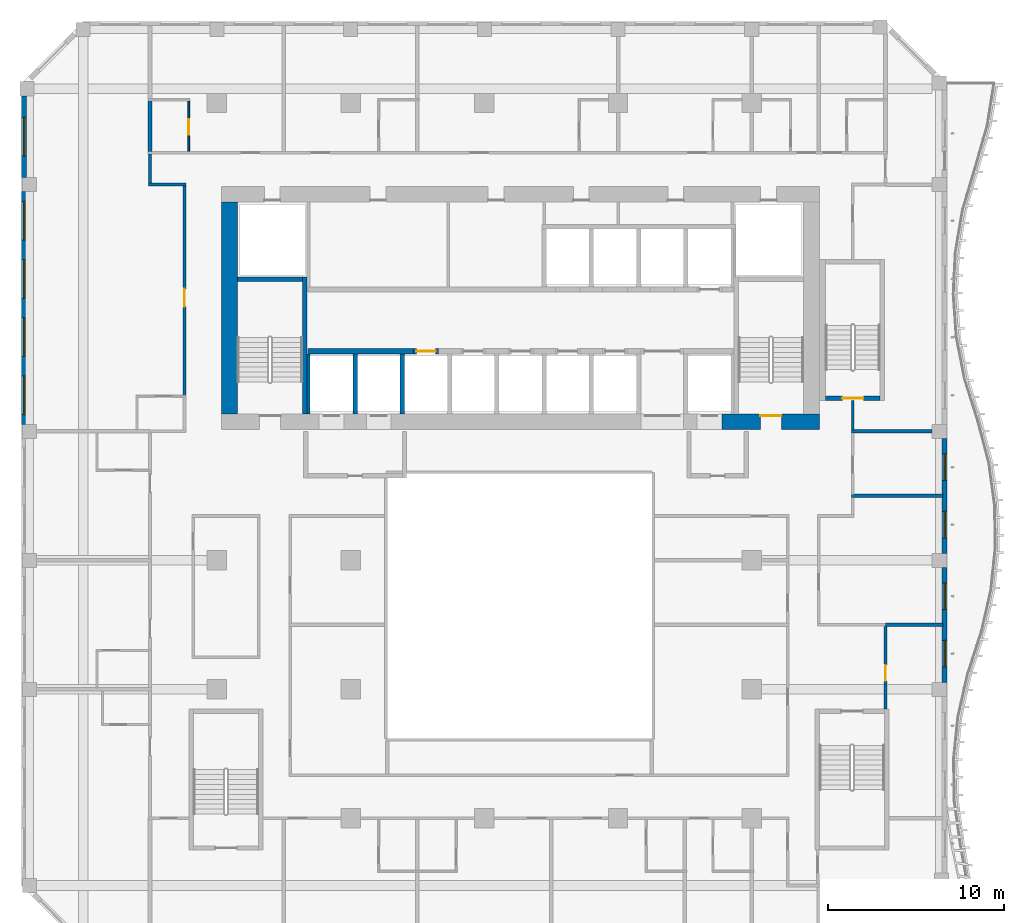
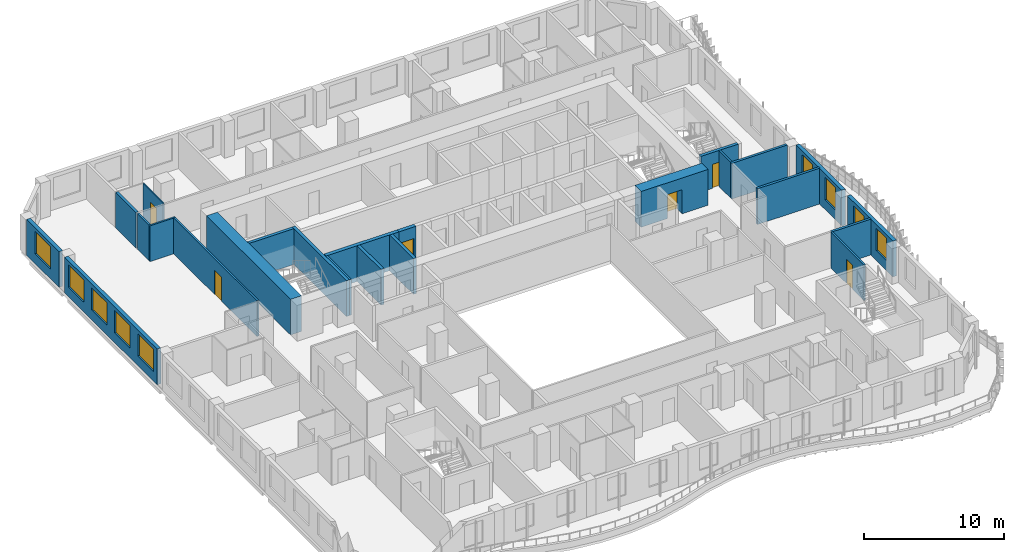
# One storey, part 6 of 20: 24 walls, 9 windows, 6 doors, 15 openings.
"""IFC4 building model written with IfcOpenShell, lengths in metres."""

from ifc_helpers import new_model, si_unit, direction, frame, frame_2d, origin, place, context, subcontext, project, spatial, rectangle, extrude, source, transform, mapped, material, layer, layer_set, type_object, element, fill, save


model = new_model("IFC4")

# Units and contexts
model_context = context("Model", 3, precision=1e-05, world=origin(), true_north=direction((0.0, 1.0)))
body_context = subcontext(model_context, "Body", "Model", "MODEL_VIEW")
ifc_project = project(units=[si_unit("LENGTHUNIT", "METRE"), si_unit("AREAUNIT", "SQUARE_METRE"), si_unit("VOLUMEUNIT", "CUBIC_METRE"), si_unit("PLANEANGLEUNIT", "RADIAN"), si_unit("MASSUNIT", "GRAM", prefix="KILO")], contexts=[model_context])

# Site, building, storey
site_placement = place(None, origin())
site = spatial("IfcSite", under=ifc_project, at=site_placement, CompositionType="ELEMENT")
building_placement = place(site_placement, origin())
building = spatial("IfcBuilding", under=site, at=building_placement, Name="Kilnfold Tower and Market Hall", CompositionType="ELEMENT")
storey_placement = place(building_placement, frame((0.0, 0.0, 157.5)))
storey = spatial("IfcBuildingStorey", under=building, at=storey_placement, Name="L36", CompositionType="ELEMENT", Elevation=157.5)

# Wall, opening, door
ifc_material_1 = material(Name="Gypsum board on steel studs", Category="steel")
ifc_layer_1 = layer(ifc_material_1, 0.14990234375)
ifc_layer_set_1 = layer_set([ifc_layer_1], Name="Gypsum board on steel studs")
wall_type_1 = type_object("IfcWallType", Name="WALL CORRIDOR 150", PredefinedType="PARTITIONING", material=ifc_layer_set_1)
wall_1_placement = place(storey_placement, frame((-18.0, 10.0400390625, 0.0), z_axis=(0.0, 0.0, 1.0), x_axis=(0.0, 1.0, 0.0)))
wall_1 = element("IfcWall", 1, at=wall_1_placement, inside=storey, type_object=wall_type_1, Name="Partition LY23.16", PredefinedType="PARTITIONING", context=body_context, shape_type="SweptSolid", body=[
    extrude(rectangle(XDim=11.885009765625, YDim=0.14990234375, at=frame_2d((5.9423828125, 0.0))), origin(), (0.0, 0.0, 1.0), 3.1201171875),
])
opening_1_placement = place(wall_1_placement, frame((5.0390625, 0.0, 0.0)))
opening_1 = element("IfcOpeningElement", 2, at=opening_1_placement, cuts=wall_1, Name="Opening D1", PredefinedType="OPENING", context=body_context, shape_type="SweptSolid", body=[
    extrude(rectangle(XDim=1.0, YDim=2.10009765625, at=frame_2d((0.5, 1.050048828125))), frame((0.0, 0.0849609375, 0.0), z_axis=(0.0, -1.0, 0.0), x_axis=(1.0, 0.0, 0.0)), (0.0, 0.0, 1.0), 0.169921875),
])
ifc_material_2 = material(Name="Timber veneer door leaf in steel frame", Category="steel")
door_type_1 = type_object("IfcDoorType", Name="DOOR ENTRY 1000 X2100", OperationType="NOTDEFINED", PredefinedType="DOOR", material=ifc_material_2)
door_1_placement = place(opening_1_placement, origin())
door_1 = element("IfcDoor", 3, at=door_1_placement, inside=storey, type_object=door_type_1, Name="Door D1", OperationType="SINGLE_SWING_LEFT", OverallHeight=2.10009765625, OverallWidth=1.0, PredefinedType="DOOR", context=body_context, shape_type="SweptSolid", body=[
    extrude(rectangle(XDim=1.0, YDim=2.10009765625, at=frame_2d((0.5, 1.050048828125))), frame((0.0, 0.02490234375, 0.0), z_axis=(0.0, -1.0, 0.0), x_axis=(1.0, 0.0, 0.0)), (0.0, 0.0, 1.0), 0.050048828125),
])
fill(opening_1, door_1)

# Walls
wall_2_placement = place(storey_placement, frame((-20.033935546875, 22.0, 0.0), z_axis=(0.0, 0.0, 1.0), x_axis=(1.0, 0.0, 0.0)))
element("IfcWall", 4, at=wall_2_placement, inside=storey, type_object=wall_type_1, Name="Partition LY23.17", PredefinedType="PARTITIONING", context=body_context, shape_type="SweptSolid", body=[
    extrude(rectangle(XDim=2.10888671875, YDim=0.14990234375, at=frame_2d((1.054443359375, 0.0))), origin(), (0.0, 0.0, 1.0), 3.1201171875),
])
wall_3_placement = place(storey_placement, frame((-19.958984375, 22.074951171875, 0.0), z_axis=(0.0, 0.0, 1.0), x_axis=(0.0, 1.0, 0.0)))
element("IfcWall", 5, at=wall_3_placement, inside=storey, type_object=wall_type_1, Name="Partition LY23.18", PredefinedType="PARTITIONING", context=body_context, shape_type="SweptSolid", body=[
    extrude(rectangle(XDim=1.650146484375, YDim=0.14990234375, at=frame_2d((0.8251953125, 0.0))), origin(), (0.0, 0.0, 1.0), 3.1201171875),
])
wall_4_placement = place(storey_placement, frame((19.89990234375, 8.090087890625, 0.0), z_axis=(0.0, 0.0, 1.0), x_axis=(0.0, 1.0, 0.0)))
element("IfcWall", 6, at=wall_4_placement, inside=storey, type_object=wall_type_1, Name="Partition LY23.26", PredefinedType="PARTITIONING", context=body_context, shape_type="SweptSolid", body=[
    extrude(rectangle(XDim=1.659912109375, YDim=0.14990234375, at=frame_2d((0.830078125, 0.0))), origin(), (0.0, 0.0, 1.0), 3.1201171875),
])

# Wall, opening, door
wall_5_placement = place(storey_placement, frame((21.75, -7.75, 0.0), z_axis=(0.0, 0.0, 1.0), x_axis=(0.0, 1.0, 0.0)))
wall_5 = element("IfcWall", 7, at=wall_5_placement, inside=storey, type_object=wall_type_1, Name="Partition LY23.31", PredefinedType="PARTITIONING", context=body_context, shape_type="SweptSolid", body=[
    extrude(rectangle(XDim=4.681884765625, YDim=0.14990234375, at=frame_2d((2.3408203125, 0.0))), origin(), (0.0, 0.0, 1.0), 3.1201171875),
])
opening_2_placement = place(wall_5_placement, frame((1.60205078125, 0.0, 0.0)))
opening_2 = element("IfcOpeningElement", 8, at=opening_2_placement, cuts=wall_5, Name="Opening D2", PredefinedType="OPENING", context=body_context, shape_type="SweptSolid", body=[
    extrude(rectangle(XDim=0.89990234375, YDim=2.10009765625, at=frame_2d((0.449951171875, 1.050048828125))), frame((0.0, 0.0849609375, 0.0), z_axis=(0.0, -1.0, 0.0), x_axis=(1.0, 0.0, 0.0)), (0.0, 0.0, 1.0), 0.169921875),
])
ifc_material_3 = material(Name="Timber veneer door leaf in steel frame", Category="steel")
door_type_2 = type_object("IfcDoorType", Name="DOOR ROOM 900 X2100", OperationType="NOTDEFINED", PredefinedType="DOOR", material=ifc_material_3)
door_2_placement = place(opening_2_placement, origin())
door_2 = element("IfcDoor", 9, at=door_2_placement, inside=storey, type_object=door_type_2, Name="Door D2", OperationType="SINGLE_SWING_LEFT", OverallHeight=2.10009765625, OverallWidth=0.89990234375, PredefinedType="DOOR", context=body_context, shape_type="SweptSolid", body=[
    extrude(rectangle(XDim=0.89990234375, YDim=2.10009765625, at=frame_2d((0.449951171875, 1.050048828125))), frame((0.0, 0.02490234375, 0.0), z_axis=(0.0, -1.0, 0.0), x_axis=(1.0, 0.0, 0.0)), (0.0, 0.0, 1.0), 0.050048828125),
])
fill(opening_2, door_2)

ifc_material_4 = material(Name="Gypsum board on steel studs", Category="steel")
ifc_layer_2 = layer(ifc_material_4, 0.10009765625)
ifc_layer_set_2 = layer_set([ifc_layer_2], Name="Gypsum board on steel studs")
wall_type_2 = type_object("IfcWallType", Name="WALL PARTITION 100", PredefinedType="PARTITIONING", material=ifc_layer_set_2)
wall_6_placement = place(storey_placement, frame((-17.759033203125, 26.751953125, 0.0), z_axis=(0.0, 0.0, 1.0), x_axis=(0.0, -1.0, 0.0)))
wall_6 = element("IfcWall", 10, at=wall_6_placement, inside=storey, type_object=wall_type_2, Name="Partition LY23.75", PredefinedType="PARTITIONING", context=body_context, shape_type="SweptSolid", body=[
    extrude(rectangle(XDim=2.875, YDim=0.10009765625, at=frame_2d((1.4375, 0.0))), origin(), (0.0, 0.0, 1.0), 3.1201171875),
])
opening_3_placement = place(wall_6_placement, frame((1.0400390625, 0.0, 0.0)))
opening_3 = element("IfcOpeningElement", 11, at=opening_3_placement, cuts=wall_6, Name="Opening D3", PredefinedType="OPENING", context=body_context, shape_type="SweptSolid", body=[
    extrude(rectangle(XDim=0.89990234375, YDim=2.10009765625, at=frame_2d((0.449951171875, 1.050048828125))), frame((0.0, 0.06005859375, 0.0), z_axis=(0.0, -1.0, 0.0), x_axis=(1.0, 0.0, 0.0)), (0.0, 0.0, 1.0), 0.1201171875),
])
ifc_material_5 = material(Name="Timber veneer door leaf in steel frame", Category="steel")
door_type_3 = type_object("IfcDoorType", Name="DOOR WC 900 X2100", OperationType="NOTDEFINED", PredefinedType="DOOR", material=ifc_material_5)
door_3_placement = place(opening_3_placement, origin())
door_3 = element("IfcDoor", 12, at=door_3_placement, inside=storey, type_object=door_type_3, Name="Door D3", OperationType="SINGLE_SWING_LEFT", OverallHeight=2.10009765625, OverallWidth=0.89990234375, PredefinedType="DOOR", context=body_context, shape_type="SweptSolid", body=[
    extrude(rectangle(XDim=0.89990234375, YDim=2.10009765625, at=frame_2d((0.449951171875, 1.050048828125))), frame((0.0, 0.02490234375, 0.0), z_axis=(0.0, -1.0, 0.0), x_axis=(1.0, 0.0, 0.0)), (0.0, 0.0, 1.0), 0.050048828125),
])
fill(opening_3, door_3)

# Walls
ifc_material_6 = material(Name="Gypsum board on steel studs", Category="steel")
ifc_layer_3 = layer(ifc_material_6, 0.199951171875)
ifc_layer_set_3 = layer_set([ifc_layer_3], Name="Gypsum board on steel studs")
wall_type_3 = type_object("IfcWallType", Name="WALL PARTY 200", PredefinedType="PARTITIONING", material=ifc_layer_set_3)
wall_7_placement = place(storey_placement, frame((-19.958984375, 23.876953125, 0.0), z_axis=(0.0, 0.0, 1.0), x_axis=(0.0, 1.0, 0.0)))
element("IfcWall", 13, at=wall_7_placement, inside=storey, type_object=wall_type_3, Name="Partition LY23.74", PredefinedType="PARTITIONING", context=body_context, shape_type="SweptSolid", body=[
    extrude(rectangle(XDim=2.885009765625, YDim=0.199951171875, at=frame_2d((1.4423828125, 0.0))), origin(), (0.0, 0.0, 1.0), 3.1201171875),
])
wall_8_placement = place(storey_placement, frame((19.826904296875, 8.0, 0.0), z_axis=(0.0, 0.0, 1.0), x_axis=(1.0, 0.0, 0.0)))
element("IfcWall", 14, at=wall_8_placement, inside=storey, type_object=wall_type_3, Name="Partition LY23.98", PredefinedType="PARTITIONING", context=body_context, shape_type="SweptSolid", body=[
    extrude(rectangle(XDim=4.572998046875, YDim=0.199951171875, at=frame_2d((2.28662109375, 0.0))), origin(), (0.0, 0.0, 1.0), 3.1201171875),
])
wall_9_placement = place(storey_placement, frame((19.826904296875, 4.343994140625, 0.0), z_axis=(0.0, 0.0, 1.0), x_axis=(1.0, 0.0, 0.0)))
element("IfcWall", 15, at=wall_9_placement, inside=storey, type_object=wall_type_3, Name="Partition LY23.99", PredefinedType="PARTITIONING", context=body_context, shape_type="SweptSolid", body=[
    extrude(rectangle(XDim=5.173095703125, YDim=0.199951171875, at=frame_2d((2.58642578125, 0.0))), origin(), (0.0, 0.0, 1.0), 3.1201171875),
])
wall_10_placement = place(storey_placement, frame((21.7509765625, -2.968017578125, 0.0), z_axis=(0.0, 0.0, 1.0), x_axis=(0.999999954829, -0.000300571071, 0.0)))
element("IfcWall", 16, at=wall_10_placement, inside=storey, type_object=wall_type_3, Name="Partition LY23.100", PredefinedType="PARTITIONING", context=body_context, shape_type="SweptSolid", body=[
    extrude(rectangle(XDim=3.2490234375, YDim=0.199951171875, at=frame_2d((1.62451171875, 0.0))), origin(), (0.0, 0.0, 1.0), 3.1201171875),
])

# Wall, opening, door
ifc_material_7 = material(Name="Concrete C70", Category="concrete")
ifc_layer_4 = layer(ifc_material_7, 0.89990234375)
ifc_layer_set_4 = layer_set([ifc_layer_4], Name="Concrete C70")
wall_type_4 = type_object("IfcWallType", Name="CORE WALL 900 C70", PredefinedType="SHEAR", material=ifc_layer_set_4)
shared_shape_1 = source(origin(), body_context, "Body", "SweptSolid", [
    extrude(rectangle(XDim=5.530029296875, YDim=0.89990234375, at=frame_2d((2.76513671875, 0.0))), origin(), (0.0, 0.0, 1.0), 3.1201171875),
])
wall_11_placement = place(storey_placement, frame((12.469970703125, 8.550048828125, 0.0), z_axis=(0.0, 0.0, 1.0), x_axis=(1.0, 0.0, 0.0)))
wall_11 = element("IfcWall", 17, at=wall_11_placement, inside=storey, type_object=wall_type_4, Name="Core outer wall south", PredefinedType="SHEAR", context=body_context, shape_type="MappedRepresentation", body=[
    mapped(shared_shape_1, transform((0.0, 0.0, 0.0))),
])
opening_4_placement = place(wall_11_placement, frame((2.179931640625, 0.0, 0.0)))
opening_4 = element("IfcOpeningElement", 18, at=opening_4_placement, cuts=wall_11, Name="Opening SD1", PredefinedType="OPENING", context=body_context, shape_type="SweptSolid", body=[
    extrude(rectangle(XDim=1.199951171875, YDim=2.10009765625, at=frame_2d((0.60009765625, 1.050048828125))), frame((0.0, 0.4599609375, 0.0), z_axis=(0.0, -1.0, 0.0), x_axis=(1.0, 0.0, 0.0)), (0.0, 0.0, 1.0), 0.919921875),
])
ifc_material_8 = material(Name="Steel door set with fire-resisting leaf", Category="steel")
door_type_4 = type_object("IfcDoorType", Name="STAIR FLOOR DOOR 1200X2100", OperationType="NOTDEFINED", PredefinedType="DOOR", material=ifc_material_8)
door_4_placement = place(opening_4_placement, origin())
door_4 = element("IfcDoor", 19, at=door_4_placement, inside=storey, type_object=door_type_4, Name="Exit stair ST2 door", OperationType="DOUBLE_DOOR_SINGLE_SWING", OverallHeight=2.10009765625, OverallWidth=1.199951171875, PredefinedType="DOOR", context=body_context, shape_type="SweptSolid", body=[
    extrude(rectangle(XDim=1.199951171875, YDim=2.10009765625, at=frame_2d((0.60009765625, 1.050048828125))), frame((0.0, 0.35498046875, 0.0), z_axis=(0.0, -1.0, 0.0), x_axis=(1.0, 0.0, 0.0)), (0.0, 0.0, 1.0), 0.050048828125),
])
fill(opening_4, door_4)

# Walls
shared_shape_2 = source(origin(), body_context, "Body", "SweptSolid", [
    extrude(rectangle(XDim=12.0, YDim=0.89990234375, at=frame_2d((6.0, 0.0))), origin(), (0.0, 0.0, 1.0), 3.1201171875),
])
wall_12_placement = place(storey_placement, frame((-15.449951171875, 9.0, 0.0), z_axis=(0.0, 0.0, 1.0), x_axis=(0.0, 1.0, 0.0)))
element("IfcWall", 20, at=wall_12_placement, inside=storey, type_object=wall_type_4, Name="Core outer wall west", PredefinedType="SHEAR", context=body_context, shape_type="MappedRepresentation", body=[
    mapped(shared_shape_2, transform((0.0, 0.0, 0.0))),
])
ifc_material_9 = material(Name="Concrete C70", Category="concrete")
ifc_layer_5 = layer(ifc_material_9, 0.25)
ifc_layer_set_5 = layer_set([ifc_layer_5], Name="Concrete C70")
wall_type_5 = type_object("IfcWallType", Name="CORE WALL 250 C70", PredefinedType="SHEAR", material=ifc_layer_set_5)
shared_shape_3 = source(origin(), body_context, "Body", "SweptSolid", [
    extrude(rectangle(XDim=7.75, YDim=0.25, at=frame_2d((3.875, 0.0))), origin(), (0.0, 0.0, 1.0), 3.1201171875),
])
wall_13_placement = place(storey_placement, frame((-11.175048828125, 9.0, 0.0), z_axis=(0.0, 0.0, 1.0), x_axis=(0.0, 1.0, 0.0)))
element("IfcWall", 21, at=wall_13_placement, inside=storey, type_object=wall_type_5, Name="Stair enclosure ST1", PredefinedType="SHEAR", context=body_context, shape_type="MappedRepresentation", body=[
    mapped(shared_shape_3, transform((0.0, 0.0, 0.0))),
])
shared_shape_4 = source(origin(), body_context, "Body", "SweptSolid", [
    extrude(rectangle(XDim=3.699951171875, YDim=0.25, at=frame_2d((1.85009765625, 0.0))), origin(), (0.0, 0.0, 1.0), 3.1201171875),
])
wall_14_placement = place(storey_placement, frame((-15.0, 16.625, 0.0), z_axis=(0.0, 0.0, 1.0), x_axis=(1.0, 0.0, 0.0)))
element("IfcWall", 22, at=wall_14_placement, inside=storey, type_object=wall_type_5, Name="Stair enclosure ST1", PredefinedType="SHEAR", context=body_context, shape_type="MappedRepresentation", body=[
    mapped(shared_shape_4, transform((0.0, 0.0, 0.0))),
])

# Wall, opening, door
shared_shape_5 = source(origin(), body_context, "Body", "SweptSolid", [
    extrude(rectangle(XDim=3.099853515625, YDim=0.25, at=frame_2d((1.5498046875, 0.0))), origin(), (0.0, 0.0, 1.0), 3.1201171875),
])
wall_15_placement = place(storey_placement, frame((18.35009765625, 9.875, 0.0), z_axis=(0.0, 0.0, 1.0), x_axis=(1.0, 0.0, 0.0)))
wall_15 = element("IfcWall", 23, at=wall_15_placement, inside=storey, type_object=wall_type_5, Name="Stair enclosure ST5", PredefinedType="SHEAR", context=body_context, shape_type="MappedRepresentation", body=[
    mapped(shared_shape_5, transform((0.0, 0.0, 0.0))),
])
opening_5_placement = place(wall_15_placement, frame((0.949951171875, 0.0, 0.0)))
opening_5 = element("IfcOpeningElement", 24, at=opening_5_placement, cuts=wall_15, Name="Opening SD1", PredefinedType="OPENING", context=body_context, shape_type="SweptSolid", body=[
    extrude(rectangle(XDim=1.199951171875, YDim=2.10009765625, at=frame_2d((0.60009765625, 1.050048828125))), frame((0.0, 0.135009765625, 0.0), z_axis=(0.0, -1.0, 0.0), x_axis=(1.0, 0.0, 0.0)), (0.0, 0.0, 1.0), 0.27001953125),
])
door_5_placement = place(opening_5_placement, origin())
door_5 = element("IfcDoor", 25, at=door_5_placement, inside=storey, type_object=door_type_4, Name="Exit stair ST5 door", OperationType="DOUBLE_DOOR_SINGLE_SWING", OverallHeight=2.10009765625, OverallWidth=1.199951171875, PredefinedType="DOOR", context=body_context, shape_type="SweptSolid", body=[
    extrude(rectangle(XDim=1.199951171875, YDim=2.10009765625, at=frame_2d((0.60009765625, 1.050048828125))), frame((0.0, 0.02490234375, 0.0), z_axis=(0.0, -1.0, 0.0), x_axis=(1.0, 0.0, 0.0)), (0.0, 0.0, 1.0), 0.050048828125),
])
fill(opening_5, door_5)

# Wall
ifc_material_10 = material(Name="Concrete C70", Category="concrete")
ifc_layer_6 = layer(ifc_material_10, 0.300048828125)
ifc_layer_set_6 = layer_set([ifc_layer_6], Name="Concrete C70")
wall_type_6 = type_object("IfcWallType", Name="CORE WALL 300 C70", PredefinedType="SHEAR", material=ifc_layer_set_6)
shared_shape_6 = source(origin(), body_context, "Body", "SweptSolid", [
    extrude(rectangle(XDim=6.0, YDim=0.300048828125, at=frame_2d((3.0, 0.0))), origin(), (0.0, 0.0, 1.0), 3.1201171875),
])
wall_16_placement = place(storey_placement, frame((-11.010009765625, 12.550048828125, 0.0), z_axis=(0.0, 0.0, 1.0), x_axis=(1.0, 0.0, 0.0)))
element("IfcWall", 26, at=wall_16_placement, inside=storey, type_object=wall_type_6, Name="Core spine wall", PredefinedType="SHEAR", context=body_context, shape_type="MappedRepresentation", body=[
    mapped(shared_shape_6, transform((0.0, 0.0, 0.0))),
])

# Wall, openings, windows
ifc_material_11 = material(Name="Precast concrete C50/60", Category="concrete")
ifc_layer_7 = layer(ifc_material_11, 0.300048828125)
ifc_layer_set_7 = layer_set([ifc_layer_7], Name="Precast concrete C50/60")
wall_type_7 = type_object("IfcWallType", Name="PRECAST WALL 300", PredefinedType="SOLIDWALL", material=ifc_layer_set_7)
shared_shape_7 = source(origin(), body_context, "Body", "SweptSolid", [
    extrude(rectangle(XDim=6.5126953125, YDim=0.300048828125, at=frame_2d((3.25634765625, 0.0))), origin(), (0.0, 0.0, 1.0), 3.1201171875),
])
wall_17_placement = place(storey_placement, frame((25.10009765625, -6.22509765625, 0.0), z_axis=(0.0, 0.0, 1.0), x_axis=(0.0, 1.0, 0.0)))
wall_17 = element("IfcWall", 27, at=wall_17_placement, inside=storey, type_object=wall_type_7, Name="External wall L36 E", PredefinedType="SOLIDWALL", context=body_context, shape_type="MappedRepresentation", body=[
    mapped(shared_shape_7, transform((0.0, 0.0, 0.0))),
])
opening_6_placement = place(wall_17_placement, frame((0.878173828125, 0.0, 0.85009765625)))
opening_6 = element("IfcOpeningElement", 28, at=opening_6_placement, cuts=wall_17, Name="Opening W4", PredefinedType="OPENING", context=body_context, shape_type="SweptSolid", body=[
    extrude(rectangle(XDim=1.5, YDim=1.949951171875, at=frame_2d((0.75, 0.97509765625))), frame((0.0, 0.16015625, 0.0), z_axis=(0.0, -1.0, 0.0), x_axis=(1.0, 0.0, 0.0)), (0.0, 0.0, 1.0), 0.320068359375),
])
opening_7_placement = place(wall_17_placement, frame((4.134521484375, 0.0, 0.85009765625)))
opening_7 = element("IfcOpeningElement", 29, at=opening_7_placement, cuts=wall_17, Name="Opening W4", PredefinedType="OPENING", context=body_context, shape_type="SweptSolid", body=[
    extrude(rectangle(XDim=1.5, YDim=1.949951171875, at=frame_2d((0.75, 0.97509765625))), frame((0.0, 0.16015625, 0.0), z_axis=(0.0, -1.0, 0.0), x_axis=(1.0, 0.0, 0.0)), (0.0, 0.0, 1.0), 0.320068359375),
])
ifc_material_12 = material(Name="Aluminium frame and double glazing", Category="aluminium")
window_type_1 = type_object("IfcWindowType", Name="WINDOW W4 1500X1950", PartitioningType="SINGLE_PANEL", PredefinedType="WINDOW", material=ifc_material_12)
window_1_placement = place(opening_6_placement, origin())
window_1 = element("IfcWindow", 30, at=window_1_placement, inside=storey, type_object=window_type_1, Name="Window W4 L36 E-1", OverallHeight=1.949951171875, OverallWidth=1.5, PartitioningType="SINGLE_PANEL", PredefinedType="WINDOW", context=body_context, shape_type="SweptSolid", body=[
    extrude(rectangle(XDim=1.5, YDim=1.949951171875, at=frame_2d((0.75, 0.97509765625))), frame((0.0, 0.030029296875, 0.0), z_axis=(0.0, -1.0, 0.0), x_axis=(1.0, 0.0, 0.0)), (0.0, 0.0, 1.0), 0.06005859375),
])
fill(opening_6, window_1)
window_2_placement = place(opening_7_placement, origin())
window_2 = element("IfcWindow", 31, at=window_2_placement, inside=storey, type_object=window_type_1, Name="Window W4 L36 E-2", OverallHeight=1.949951171875, OverallWidth=1.5, PartitioningType="SINGLE_PANEL", PredefinedType="WINDOW", context=body_context, shape_type="SweptSolid", body=[
    extrude(rectangle(XDim=1.5, YDim=1.949951171875, at=frame_2d((0.75, 0.97509765625))), frame((0.0, 0.030029296875, 0.0), z_axis=(0.0, -1.0, 0.0), x_axis=(1.0, 0.0, 0.0)), (0.0, 0.0, 1.0), 0.06005859375),
])
fill(opening_7, window_2)

wall_18_placement = place(storey_placement, frame((25.10009765625, 1.08740234375, 0.0), z_axis=(0.0, 0.0, 1.0), x_axis=(0.0, 1.0, 0.0)))
wall_18 = element("IfcWall", 32, at=wall_18_placement, inside=storey, type_object=wall_type_7, Name="External wall L36 E", PredefinedType="SOLIDWALL", context=body_context, shape_type="MappedRepresentation", body=[
    mapped(shared_shape_7, transform((0.0, 0.0, 0.0))),
])
opening_8_placement = place(wall_18_placement, frame((0.878173828125, 0.0, 0.85009765625)))
opening_8 = element("IfcOpeningElement", 33, at=opening_8_placement, cuts=wall_18, Name="Opening W4", PredefinedType="OPENING", context=body_context, shape_type="SweptSolid", body=[
    extrude(rectangle(XDim=1.5, YDim=1.949951171875, at=frame_2d((0.75, 0.97509765625))), frame((0.0, 0.16015625, 0.0), z_axis=(0.0, -1.0, 0.0), x_axis=(1.0, 0.0, 0.0)), (0.0, 0.0, 1.0), 0.320068359375),
])
opening_9_placement = place(wall_18_placement, frame((4.134521484375, 0.0, 0.85009765625)))
opening_9 = element("IfcOpeningElement", 34, at=opening_9_placement, cuts=wall_18, Name="Opening W4", PredefinedType="OPENING", context=body_context, shape_type="SweptSolid", body=[
    extrude(rectangle(XDim=1.5, YDim=1.949951171875, at=frame_2d((0.75, 0.97509765625))), frame((0.0, 0.16015625, 0.0), z_axis=(0.0, -1.0, 0.0), x_axis=(1.0, 0.0, 0.0)), (0.0, 0.0, 1.0), 0.320068359375),
])
window_3_placement = place(opening_8_placement, origin())
window_3 = element("IfcWindow", 35, at=window_3_placement, inside=storey, type_object=window_type_1, Name="Window W4 L36 E-1", OverallHeight=1.949951171875, OverallWidth=1.5, PartitioningType="SINGLE_PANEL", PredefinedType="WINDOW", context=body_context, shape_type="SweptSolid", body=[
    extrude(rectangle(XDim=1.5, YDim=1.949951171875, at=frame_2d((0.75, 0.97509765625))), frame((0.0, 0.030029296875, 0.0), z_axis=(0.0, -1.0, 0.0), x_axis=(1.0, 0.0, 0.0)), (0.0, 0.0, 1.0), 0.06005859375),
])
fill(opening_8, window_3)
window_4_placement = place(opening_9_placement, origin())
window_4 = element("IfcWindow", 36, at=window_4_placement, inside=storey, type_object=window_type_1, Name="Window W4 L36 E-2", OverallHeight=1.949951171875, OverallWidth=1.5, PartitioningType="SINGLE_PANEL", PredefinedType="WINDOW", context=body_context, shape_type="SweptSolid", body=[
    extrude(rectangle(XDim=1.5, YDim=1.949951171875, at=frame_2d((0.75, 0.97509765625))), frame((0.0, 0.030029296875, 0.0), z_axis=(0.0, -1.0, 0.0), x_axis=(1.0, 0.0, 0.0)), (0.0, 0.0, 1.0), 0.06005859375),
])
fill(opening_9, window_4)

shared_shape_8 = source(origin(), body_context, "Body", "SweptSolid", [
    extrude(rectangle(XDim=13.2001953125, YDim=0.300048828125, at=frame_2d((6.60009765625, 0.0))), origin(), (0.0, 0.0, 1.0), 3.1201171875),
])
wall_19_placement = place(storey_placement, frame((-27.10009765625, 21.60009765625, 0.0), z_axis=(0.0, 0.0, 1.0), x_axis=(0.0, -1.0, 0.0)))
wall_19 = element("IfcWall", 37, at=wall_19_placement, inside=storey, type_object=wall_type_7, Name="External wall L36 W", PredefinedType="SOLIDWALL", context=body_context, shape_type="MappedRepresentation", body=[
    mapped(shared_shape_8, transform((0.0, 0.0, 0.0))),
])
opening_10_placement = place(wall_19_placement, frame((0.550048828125, 0.0, 0.85009765625)))
opening_10 = element("IfcOpeningElement", 38, at=opening_10_placement, cuts=wall_19, Name="Opening W2", PredefinedType="OPENING", context=body_context, shape_type="SweptSolid", body=[
    extrude(rectangle(XDim=2.199951171875, YDim=1.949951171875, at=frame_2d((1.10009765625, 0.97509765625))), frame((0.0, 0.16015625, 0.0), z_axis=(0.0, -1.0, 0.0), x_axis=(1.0, 0.0, 0.0)), (0.0, 0.0, 1.0), 0.320068359375),
])
opening_11_placement = place(wall_19_placement, frame((3.85009765625, 0.0, 0.85009765625)))
opening_11 = element("IfcOpeningElement", 39, at=opening_11_placement, cuts=wall_19, Name="Opening W2", PredefinedType="OPENING", context=body_context, shape_type="SweptSolid", body=[
    extrude(rectangle(XDim=2.199951171875, YDim=1.949951171875, at=frame_2d((1.10009765625, 0.97509765625))), frame((0.0, 0.16015625, 0.0), z_axis=(0.0, -1.0, 0.0), x_axis=(1.0, 0.0, 0.0)), (0.0, 0.0, 1.0), 0.320068359375),
])
opening_12_placement = place(wall_19_placement, frame((7.14990234375, 0.0, 0.85009765625)))
opening_12 = element("IfcOpeningElement", 40, at=opening_12_placement, cuts=wall_19, Name="Opening W2", PredefinedType="OPENING", context=body_context, shape_type="SweptSolid", body=[
    extrude(rectangle(XDim=2.199951171875, YDim=1.949951171875, at=frame_2d((1.10009765625, 0.97509765625))), frame((0.0, 0.16015625, 0.0), z_axis=(0.0, -1.0, 0.0), x_axis=(1.0, 0.0, 0.0)), (0.0, 0.0, 1.0), 0.320068359375),
])
opening_13_placement = place(wall_19_placement, frame((10.449951171875, 0.0, 0.85009765625)))
opening_13 = element("IfcOpeningElement", 41, at=opening_13_placement, cuts=wall_19, Name="Opening W2", PredefinedType="OPENING", context=body_context, shape_type="SweptSolid", body=[
    extrude(rectangle(XDim=2.199951171875, YDim=1.949951171875, at=frame_2d((1.10009765625, 0.97509765625))), frame((0.0, 0.16015625, 0.0), z_axis=(0.0, -1.0, 0.0), x_axis=(1.0, 0.0, 0.0)), (0.0, 0.0, 1.0), 0.320068359375),
])
ifc_material_13 = material(Name="Aluminium frame and double glazing", Category="aluminium")
window_type_2 = type_object("IfcWindowType", Name="WINDOW W2 2200X1950", PartitioningType="SINGLE_PANEL", PredefinedType="WINDOW", material=ifc_material_13)
window_5_placement = place(opening_10_placement, origin())
window_5 = element("IfcWindow", 42, at=window_5_placement, inside=storey, type_object=window_type_2, Name="Window W2 L36 W-1", OverallHeight=1.949951171875, OverallWidth=2.199951171875, PartitioningType="SINGLE_PANEL", PredefinedType="WINDOW", context=body_context, shape_type="SweptSolid", body=[
    extrude(rectangle(XDim=2.199951171875, YDim=1.949951171875, at=frame_2d((1.10009765625, 0.97509765625))), frame((0.0, 0.030029296875, 0.0), z_axis=(0.0, -1.0, 0.0), x_axis=(1.0, 0.0, 0.0)), (0.0, 0.0, 1.0), 0.06005859375),
])
fill(opening_10, window_5)
window_6_placement = place(opening_11_placement, origin())
window_6 = element("IfcWindow", 43, at=window_6_placement, inside=storey, type_object=window_type_2, Name="Window W2 L36 W-2", OverallHeight=1.949951171875, OverallWidth=2.199951171875, PartitioningType="SINGLE_PANEL", PredefinedType="WINDOW", context=body_context, shape_type="SweptSolid", body=[
    extrude(rectangle(XDim=2.199951171875, YDim=1.949951171875, at=frame_2d((1.10009765625, 0.97509765625))), frame((0.0, 0.030029296875, 0.0), z_axis=(0.0, -1.0, 0.0), x_axis=(1.0, 0.0, 0.0)), (0.0, 0.0, 1.0), 0.06005859375),
])
fill(opening_11, window_6)
window_7_placement = place(opening_12_placement, origin())
window_7 = element("IfcWindow", 44, at=window_7_placement, inside=storey, type_object=window_type_2, Name="Window W2 L36 W-3", OverallHeight=1.949951171875, OverallWidth=2.199951171875, PartitioningType="SINGLE_PANEL", PredefinedType="WINDOW", context=body_context, shape_type="SweptSolid", body=[
    extrude(rectangle(XDim=2.199951171875, YDim=1.949951171875, at=frame_2d((1.10009765625, 0.97509765625))), frame((0.0, 0.030029296875, 0.0), z_axis=(0.0, -1.0, 0.0), x_axis=(1.0, 0.0, 0.0)), (0.0, 0.0, 1.0), 0.06005859375),
])
fill(opening_12, window_7)
window_8_placement = place(opening_13_placement, origin())
window_8 = element("IfcWindow", 45, at=window_8_placement, inside=storey, type_object=window_type_2, Name="Window W2 L36 W-4", OverallHeight=1.949951171875, OverallWidth=2.199951171875, PartitioningType="SINGLE_PANEL", PredefinedType="WINDOW", context=body_context, shape_type="SweptSolid", body=[
    extrude(rectangle(XDim=2.199951171875, YDim=1.949951171875, at=frame_2d((1.10009765625, 0.97509765625))), frame((0.0, 0.030029296875, 0.0), z_axis=(0.0, -1.0, 0.0), x_axis=(1.0, 0.0, 0.0)), (0.0, 0.0, 1.0), 0.06005859375),
])
fill(opening_13, window_8)

# Wall, opening, window
shared_shape_9 = source(origin(), body_context, "Body", "SweptSolid", [
    extrude(rectangle(XDim=4.6318359375, YDim=0.300048828125, at=frame_2d((2.31591796875, 0.0))), origin(), (0.0, 0.0, 1.0), 3.1201171875),
])
wall_20_placement = place(storey_placement, frame((-27.10009765625, 27.03173828125, 0.0), z_axis=(0.0, 0.0, 1.0), x_axis=(0.0, -1.0, 0.0)))
wall_20 = element("IfcWall", 46, at=wall_20_placement, inside=storey, type_object=wall_type_7, Name="External wall L36 W", PredefinedType="SOLIDWALL", context=body_context, shape_type="MappedRepresentation", body=[
    mapped(shared_shape_9, transform((0.0, 0.0, 0.0))),
])
opening_14_placement = place(wall_20_placement, frame((1.2158203125, 0.0, 0.85009765625)))
opening_14 = element("IfcOpeningElement", 47, at=opening_14_placement, cuts=wall_20, Name="Opening W2", PredefinedType="OPENING", context=body_context, shape_type="SweptSolid", body=[
    extrude(rectangle(XDim=2.199951171875, YDim=1.949951171875, at=frame_2d((1.10009765625, 0.97509765625))), frame((0.0, 0.16015625, 0.0), z_axis=(0.0, -1.0, 0.0), x_axis=(1.0, 0.0, 0.0)), (0.0, 0.0, 1.0), 0.320068359375),
])
window_9_placement = place(opening_14_placement, origin())
window_9 = element("IfcWindow", 48, at=window_9_placement, inside=storey, type_object=window_type_2, Name="Window W2 L36 W-1", OverallHeight=1.949951171875, OverallWidth=2.199951171875, PartitioningType="SINGLE_PANEL", PredefinedType="WINDOW", context=body_context, shape_type="SweptSolid", body=[
    extrude(rectangle(XDim=2.199951171875, YDim=1.949951171875, at=frame_2d((1.10009765625, 0.97509765625))), frame((0.0, 0.030029296875, 0.0), z_axis=(0.0, -1.0, 0.0), x_axis=(1.0, 0.0, 0.0)), (0.0, 0.0, 1.0), 0.06005859375),
])
fill(opening_14, window_9)

# Wall, opening, door
ifc_material_14 = material(Name="Gypsum shaft wall system")
ifc_layer_8 = layer(ifc_material_14, 0.300048828125)
ifc_layer_set_8 = layer_set([ifc_layer_8], Name="Gypsum shaft wall system")
wall_type_8 = type_object("IfcWallType", Name="SHAFT WALL 300", PredefinedType="PARTITIONING", material=ifc_layer_set_8)
shared_shape_10 = source(origin(), body_context, "Body", "SweptSolid", [
    extrude(rectangle(XDim=1.39990234375, YDim=0.300048828125, at=frame_2d((0.699951171875, 0.0))), origin(), (0.0, 0.0, 1.0), 3.1201171875),
])
wall_21_placement = place(storey_placement, frame((-5.010009765625, 12.550048828125, 0.0), z_axis=(0.0, 0.0, 1.0), x_axis=(1.0, 0.0, 0.0)))
wall_21 = element("IfcWall", 49, at=wall_21_placement, inside=storey, type_object=wall_type_8, Name="Lift shaft front wall", PredefinedType="PARTITIONING", context=body_context, shape_type="MappedRepresentation", body=[
    mapped(shared_shape_10, transform((0.0, 0.0, 0.0))),
])
opening_15_placement = place(wall_21_placement, frame((0.14990234375, 0.0, 0.0)))
opening_15 = element("IfcOpeningElement", 50, at=opening_15_placement, cuts=wall_21, Name="Opening LD2", PredefinedType="OPENING", context=body_context, shape_type="SweptSolid", body=[
    extrude(rectangle(XDim=1.10009765625, YDim=2.10009765625, at=frame_2d((0.550048828125, 1.050048828125))), frame((0.0, 0.16015625, 0.0), z_axis=(0.0, -1.0, 0.0), x_axis=(1.0, 0.0, 0.0)), (0.0, 0.0, 1.0), 0.320068359375),
])
ifc_material_15 = material(Name="Steel door set with fire-resisting leaf", Category="steel")
door_type_5 = type_object("IfcDoorType", Name="LANDING DOOR 1100X2100", OperationType="NOTDEFINED", PredefinedType="DOOR", material=ifc_material_15)
door_6_placement = place(opening_15_placement, origin())
door_6 = element("IfcDoor", 51, at=door_6_placement, inside=storey, type_object=door_type_5, Name="Landing door MR1", OperationType="DOUBLE_DOOR_SLIDING", OverallHeight=2.10009765625, OverallWidth=1.10009765625, PredefinedType="DOOR", context=body_context, shape_type="SweptSolid", body=[
    extrude(rectangle(XDim=1.10009765625, YDim=2.10009765625, at=frame_2d((0.550048828125, 1.050048828125))), frame((0.0, 0.02490234375, 0.0), z_axis=(0.0, -1.0, 0.0), x_axis=(1.0, 0.0, 0.0)), (0.0, 0.0, 1.0), 0.050048828125),
])
fill(opening_15, door_6)

# Walls
ifc_material_16 = material(Name="Gypsum shaft wall system")
ifc_layer_9 = layer(ifc_material_16, 0.25)
ifc_layer_set_9 = layer_set([ifc_layer_9], Name="Gypsum shaft wall system")
wall_type_9 = type_object("IfcWallType", Name="SHAFT WALL 250", PredefinedType="PARTITIONING", material=ifc_layer_set_9)
shared_shape_11 = source(origin(), body_context, "Body", "SweptSolid", [
    extrude(rectangle(XDim=3.39990234375, YDim=0.25, at=frame_2d((1.699951171875, 0.0))), origin(), (0.0, 0.0, 1.0), 3.1201171875),
])
for number, where, z_axis, x_axis, name in (
    (52, (-5.64990234375, 9.0, 0.0), (0.0, 0.0, 1.0), (0.0, 1.0, 0.0), "Lift shaft wall"),
    (53, (-8.330078125, 9.0, 0.0), (0.0, 0.0, 1.0), (0.0, 1.0, 0.0), "Lift shaft wall"),
):
    element("IfcWall", number, at=place(storey_placement, frame(where, z_axis=z_axis, x_axis=x_axis)), inside=storey, type_object=wall_type_9, Name=name, PredefinedType="PARTITIONING", context=body_context, shape_type="MappedRepresentation", body=[
        mapped(shared_shape_11, transform((0.0, 0.0, 0.0))),
    ])
ifc_material_17 = material(Name="Gypsum shaft wall system")
ifc_layer_10 = layer(ifc_material_17, 0.1650390625)
ifc_layer_set_10 = layer_set([ifc_layer_10], Name="Gypsum shaft wall system")
wall_type_10 = type_object("IfcWallType", Name="SHAFT WALL 165", PredefinedType="PARTITIONING", material=ifc_layer_set_10)
shared_shape_12 = source(origin(), body_context, "Body", "SweptSolid", [
    extrude(rectangle(XDim=3.39990234375, YDim=0.1650390625, at=frame_2d((1.699951171875, 0.0))), origin(), (0.0, 0.0, 1.0), 3.1201171875),
])
wall_22_placement = place(storey_placement, frame((-10.967529296875, 9.0, 0.0), z_axis=(0.0, 0.0, 1.0), x_axis=(0.0, 1.0, 0.0)))
element("IfcWall", 54, at=wall_22_placement, inside=storey, type_object=wall_type_10, Name="Lift shaft wall", PredefinedType="PARTITIONING", context=body_context, shape_type="MappedRepresentation", body=[
    mapped(shared_shape_12, transform((0.0, 0.0, 0.0))),
])

save(model, "model.ifc")
